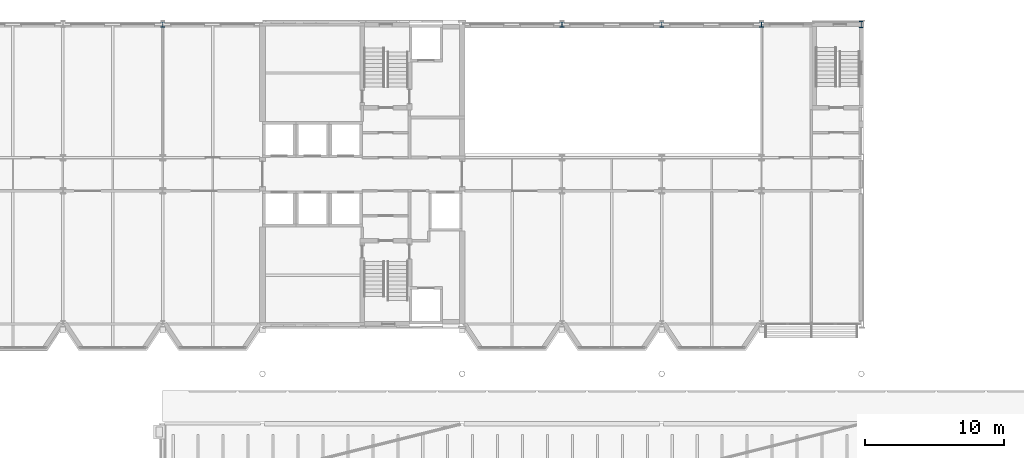
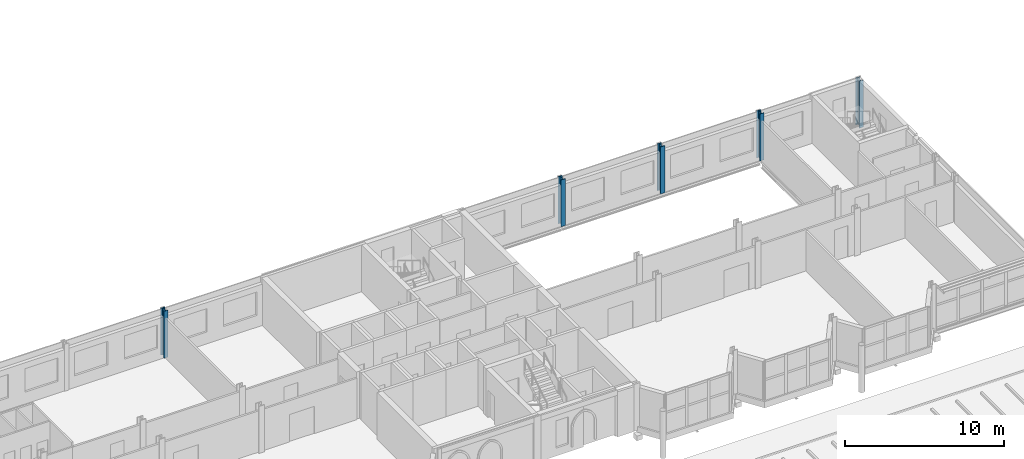
# One storey, part 9 of 120: 5 columns.
"""IFC4 building model written with IfcOpenShell, lengths in metres."""

from ifc_helpers import new_model, si_unit, direction, frame, origin, origin_2d, place, context, subcontext, project, spatial, i_section, extrude, material, material_profile, profile_set, type_object, element, save


model = new_model("IFC4")

# Units and contexts
model_context = context("Model", 3, precision=1e-05, world=origin(), true_north=direction((0.0, 1.0)))
body_context = subcontext(model_context, "Body", "Model", "MODEL_VIEW")
ifc_project = project(units=[si_unit("LENGTHUNIT", "METRE"), si_unit("AREAUNIT", "SQUARE_METRE"), si_unit("VOLUMEUNIT", "CUBIC_METRE"), si_unit("PLANEANGLEUNIT", "RADIAN"), si_unit("MASSUNIT", "GRAM", prefix="KILO")], contexts=[model_context])

# Site, building, storey
site_placement = place(None, origin())
site = spatial("IfcSite", under=ifc_project, at=site_placement, CompositionType="ELEMENT")
building_placement = place(site_placement, origin())
building = spatial("IfcBuilding", under=site, at=building_placement, Name="Kupolbacken Congress Centre", CompositionType="ELEMENT")
storey_placement = place(building_placement, frame((0.0, 0.0, 21.60009765625)))
storey = spatial("IfcBuildingStorey", under=building, at=storey_placement, Name="L06", CompositionType="ELEMENT", Elevation=21.60009765625)

# Columns
ifc_material_1 = material(Name="Steel S355", Category="steel")
ifc_material_profile_1 = material_profile(ifc_material_1, i_section(OverallWidth=0.306884765625, OverallDepth=0.431884765625, WebThickness=0.02099609375, FlangeThickness=0.0400390625, FilletRadius=0.027099609375, at=origin_2d()), Name="HEM 400")
ifc_profile_set_1 = profile_set([ifc_material_profile_1], Name="Steel S355")
column_type_1 = type_object("IfcColumnType", Name="C02 column HEM 400", PredefinedType="COLUMN", material=ifc_profile_set_1)
for number, where, z_axis, x_axis, name in (
    (1, (86.39990234375, 144.0, 0.0), (0.0, 0.0, 1.0), (1.0, 0.0, 0.0), "S/col/C-T-13W/L06"),
    (2, (115.199951171875, 144.0, 0.0), (0.0, 0.0, 1.0), (1.0, 0.0, 0.0), "S/col/C-T-17W/L06"),
    (3, (122.39990234375, 144.0, 0.0), (0.0, 0.0, 1.0), (1.0, 0.0, 0.0), "S/col/C-T-18W/L06"),
    (4, (129.60009765625, 144.0, 0.0), (0.0, 0.0, 1.0), (1.0, 0.0, 0.0), "S/col/C-T-19W/L06"),
):
    element("IfcColumn", number, at=place(storey_placement, frame(where, z_axis=z_axis, x_axis=x_axis)), inside=storey, type_object=column_type_1, Name=name, PredefinedType="COLUMN", context=body_context, shape_type="SweptSolid", body=[
        extrude(i_section(OverallWidth=0.306884765625, OverallDepth=0.431884765625, WebThickness=0.02099609375, FlangeThickness=0.0400390625, FilletRadius=0.027099609375, at=origin_2d()), origin(), (0.0, 0.0, 1.0), 3.599853515625),
    ])
ifc_material_2 = material(Name="Steel S355", Category="steel")
ifc_material_profile_2 = material_profile(ifc_material_2, i_section(OverallWidth=0.300048828125, OverallDepth=0.449951171875, WebThickness=0.013916015625, FlangeThickness=0.02587890625, FilletRadius=0.027099609375, at=origin_2d()), Name="HEB 450")
ifc_profile_set_2 = profile_set([ifc_material_profile_2], Name="Steel S355")
column_type_2 = type_object("IfcColumnType", Name="C03 column HEB 450", PredefinedType="COLUMN", material=ifc_profile_set_2)
column_placement = place(storey_placement, frame((136.800048828125, 144.0, 0.0), z_axis=(0.0, 0.0, 1.0), x_axis=(1.0, 0.0, 0.0)))
element("IfcColumn", 5, at=column_placement, inside=storey, type_object=column_type_2, Name="S/col/C-T-20W/L06", PredefinedType="COLUMN", context=body_context, shape_type="SweptSolid", body=[
    extrude(i_section(OverallWidth=0.300048828125, OverallDepth=0.449951171875, WebThickness=0.013916015625, FlangeThickness=0.02587890625, FilletRadius=0.027099609375, at=origin_2d()), origin(), (0.0, 0.0, 1.0), 3.599853515625),
])

save(model, "model.ifc")
